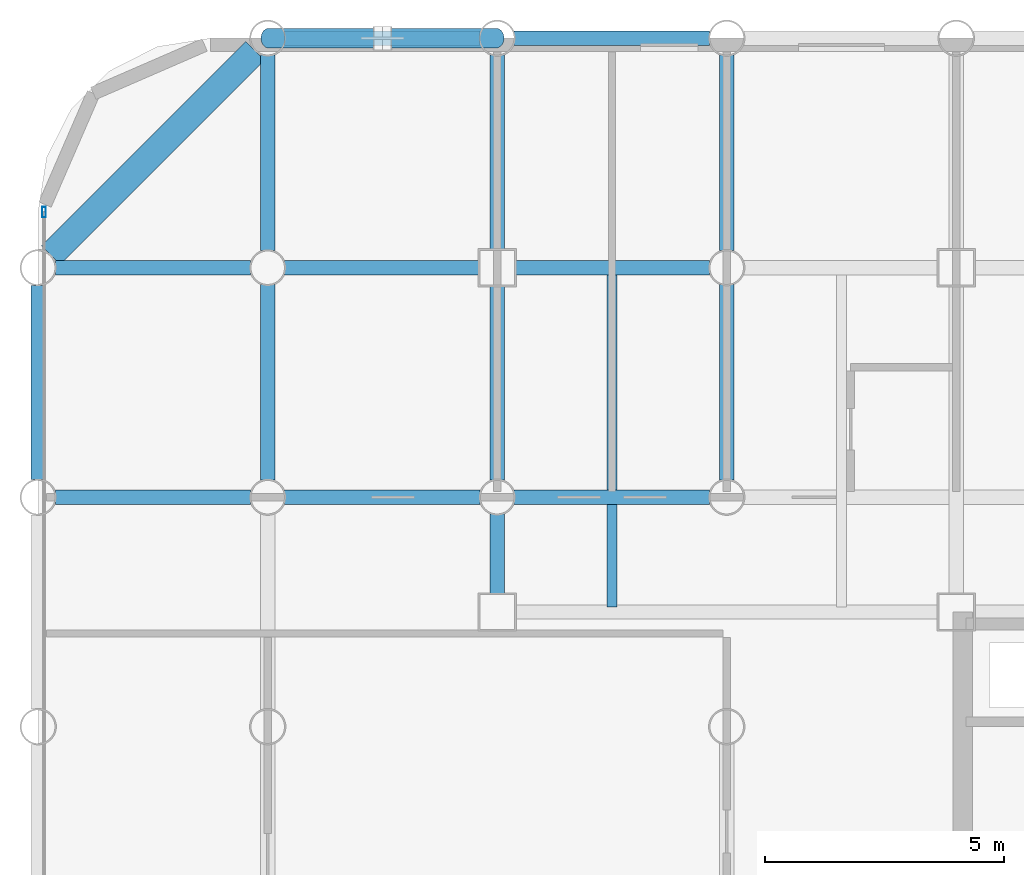
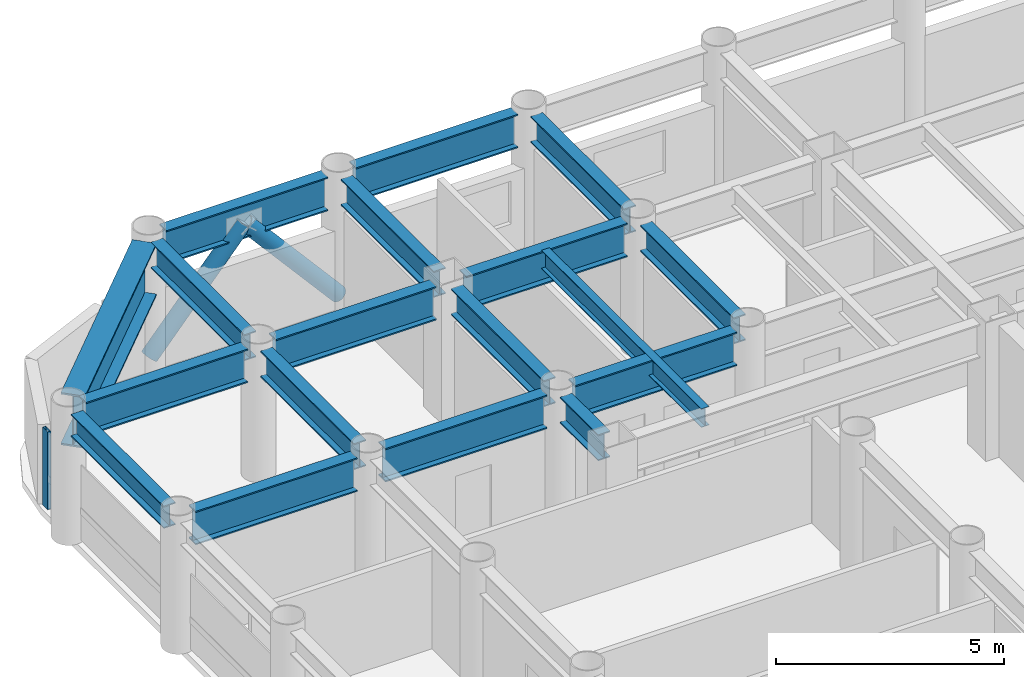
# One storey, part 9 of 21: 18 beams, 3 members, 1 element without a shape of its own.
"""IFC4 building model written with IfcOpenShell, lengths in metres."""

from ifc_helpers import new_model, si_unit, direction, frame, origin, origin_2d, place, context, subcontext, project, spatial, hollow_rectangle, hollow_circle, i_section, extrude, material, layer, layer_set, material_profile, profile_set, type_object, element, aggregate, save


model = new_model("IFC4")

# Units and contexts
model_context = context("Model", 3, precision=1e-05, world=origin(), true_north=direction((0.0, 1.0)))
body_context = subcontext(model_context, "Body", "Model", "MODEL_VIEW")
ifc_project = project(units=[si_unit("LENGTHUNIT", "METRE"), si_unit("AREAUNIT", "SQUARE_METRE"), si_unit("VOLUMEUNIT", "CUBIC_METRE"), si_unit("PLANEANGLEUNIT", "RADIAN"), si_unit("MASSUNIT", "GRAM", prefix="KILO")], contexts=[model_context])

# Site, building, storey
site_placement = place(None, origin())
site = spatial("IfcSite", under=ifc_project, at=site_placement, CompositionType="ELEMENT")
building_placement = place(site_placement, origin())
building = spatial("IfcBuilding", under=site, at=building_placement, Name="Kallvorn Hotel Tower", CompositionType="ELEMENT")
storey_placement = place(building_placement, frame((0.0, 0.0, 41.10009765625)))
storey = spatial("IfcBuildingStorey", under=building, at=storey_placement, Name="L08", CompositionType="ELEMENT", Elevation=41.10009765625)

# Beams
ifc_material_1 = material(Name="Structural steel S355JR", Category="steel")
ifc_material_profile_1 = material_profile(ifc_material_1, i_section(OverallWidth=0.300048828125, OverallDepth=0.60009765625, WebThickness=0.015380859375, FlangeThickness=0.030029296875, at=origin_2d()), Name="HE 600 B")
ifc_profile_set_1 = profile_set([ifc_material_profile_1], Name="Structural steel S355JR")
beam_type_1 = type_object("IfcBeamType", Name="BM_HE600B", PredefinedType="SPANDREL", material=ifc_profile_set_1)
beam_1_placement = place(storey_placement, frame((-33.60009765625, 9.970947265625, 3.219970703125), z_axis=(0.0, 1.0, 0.0), x_axis=(-1.0, 0.0, 0.0)))
element("IfcBeam", 1, at=beam_1_placement, inside=storey, type_object=beam_type_1, Name="L09 Perimeter Spandrel 180", PredefinedType="SPANDREL", context=body_context, shape_type="SweptSolid", body=[
    extrude(i_section(OverallWidth=0.300048828125, OverallDepth=0.60009765625, WebThickness=0.015380859375, FlangeThickness=0.030029296875, at=origin_2d()), origin(), (0.0, 0.0, 1.0), 4.05810546875),
])
ifc_material_2 = material(Name="Structural steel S355JR", Category="steel")
ifc_material_profile_2 = material_profile(ifc_material_2, i_section(OverallWidth=0.300048828125, OverallDepth=0.699951171875, WebThickness=0.01708984375, FlangeThickness=0.031982421875, at=origin_2d()), Name="HE 700 B")
ifc_profile_set_2 = profile_set([ifc_material_profile_2], Name="Structural steel S355JR")
beam_type_2 = type_object("IfcBeamType", Name="BM_HE700B", PredefinedType="BEAM", material=ifc_profile_set_2)
for number, where, z_axis, x_axis, name in (
    (2, (-28.800048828125, 9.9560546875, 3.169921875), (0.0, 1.0, 0.0), (-1.0, 0.0, 0.0), "L09 Primary Y-Girder 80"),
    (3, (-28.800048828125, 14.756103515625, 3.169921875), (0.0, 1.0, 0.0), (-1.0, 0.0, 0.0), "L09 Primary Y-Girder 81"),
):
    element("IfcBeam", number, at=place(storey_placement, frame(where, z_axis=z_axis, x_axis=x_axis)), inside=storey, type_object=beam_type_2, Name=name, PredefinedType="BEAM", context=body_context, shape_type="SweptSolid", body=[
        extrude(i_section(OverallWidth=0.300048828125, OverallDepth=0.699951171875, WebThickness=0.01708984375, FlangeThickness=0.031982421875, at=origin_2d()), origin(), (0.0, 0.0, 1.0), 4.087890625),
    ])
beam_2_placement = place(storey_placement, frame((-24.0, 7.574951171875, 3.169921875), z_axis=(0.0, 1.0, 0.0), x_axis=(-1.0, 0.0, 0.0)))
element("IfcBeam", 4, at=beam_2_placement, inside=storey, type_object=beam_type_2, Name="L09 Primary Y-Girder 86", PredefinedType="BEAM", context=body_context, shape_type="SweptSolid", body=[
    extrude(i_section(OverallWidth=0.300048828125, OverallDepth=0.699951171875, WebThickness=0.01708984375, FlangeThickness=0.031982421875, at=origin_2d()), origin(), (0.0, 0.0, 1.0), 1.6689453125),
])
beam_3_placement = place(storey_placement, frame((-24.0, 9.9560546875, 3.169921875), z_axis=(0.0, 1.0, 0.0), x_axis=(-1.0, 0.0, 0.0)))
element("IfcBeam", 5, at=beam_3_placement, inside=storey, type_object=beam_type_2, Name="L09 Primary Y-Girder 87", PredefinedType="BEAM", context=body_context, shape_type="SweptSolid", body=[
    extrude(i_section(OverallWidth=0.300048828125, OverallDepth=0.699951171875, WebThickness=0.01708984375, FlangeThickness=0.031982421875, at=origin_2d()), origin(), (0.0, 0.0, 1.0), 4.06884765625),
])
beam_4_placement = place(storey_placement, frame((-24.0, 14.77490234375, 3.169921875), z_axis=(0.0, 1.0, 0.0), x_axis=(-1.0, 0.0, 0.0)))
element("IfcBeam", 6, at=beam_4_placement, inside=storey, type_object=beam_type_2, Name="L09 Primary Y-Girder 88", PredefinedType="BEAM", context=body_context, shape_type="SweptSolid", body=[
    extrude(i_section(OverallWidth=0.300048828125, OverallDepth=0.699951171875, WebThickness=0.01708984375, FlangeThickness=0.031982421875, at=origin_2d()), origin(), (0.0, 0.0, 1.0), 4.069091796875),
])
for number, where, z_axis, x_axis, name in (
    (7, (-19.199951171875, 9.9560546875, 3.169921875), (0.0, 1.0, 0.0), (-1.0, 0.0, 0.0), "L09 Primary Y-Girder 96"),
    (8, (-19.199951171875, 14.756103515625, 3.169921875), (0.0, 1.0, 0.0), (-1.0, 0.0, 0.0), "L09 Primary Y-Girder 97"),
):
    element("IfcBeam", number, at=place(storey_placement, frame(where, z_axis=z_axis, x_axis=x_axis)), inside=storey, type_object=beam_type_2, Name=name, PredefinedType="BEAM", context=body_context, shape_type="SweptSolid", body=[
        extrude(i_section(OverallWidth=0.300048828125, OverallDepth=0.699951171875, WebThickness=0.01708984375, FlangeThickness=0.031982421875, at=origin_2d()), origin(), (0.0, 0.0, 1.0), 4.087890625),
    ])
ifc_material_3 = material(Name="Structural steel S355JR", Category="steel")
ifc_material_profile_3 = material_profile(ifc_material_3, i_section(OverallWidth=0.300048828125, OverallDepth=0.89990234375, WebThickness=0.0185546875, FlangeThickness=0.034912109375, at=origin_2d()), Name="HE 900 B")
ifc_profile_set_3 = profile_set([ifc_material_profile_3], Name="Structural steel S355JR")
beam_type_3 = type_object("IfcBeamType", Name="BM_HE900B", PredefinedType="BEAM", material=ifc_profile_set_3)
beam_5_placement = place(storey_placement, frame((-33.243896484375, 9.60009765625, 3.06982421875), z_axis=(1.0, 0.0, 0.0), x_axis=(0.0, 1.0, 0.0)))
element("IfcBeam", 9, at=beam_5_placement, inside=storey, type_object=beam_type_3, Name="L09 Primary X-Girder 42", PredefinedType="BEAM", context=body_context, shape_type="SweptSolid", body=[
    extrude(i_section(OverallWidth=0.300048828125, OverallDepth=0.89990234375, WebThickness=0.0185546875, FlangeThickness=0.034912109375, at=origin_2d()), origin(), (0.0, 0.0, 1.0), 4.087890625),
])
for number, where, z_axis, x_axis, name in (
    (10, (-28.444091796875, 9.60009765625, 3.06982421875), (1.0, 0.0, 0.0), (0.0, 1.0, 0.0), "L09 Primary X-Girder 43"),
    (11, (-23.64404296875, 9.60009765625, 3.06982421875), (1.0, 0.0, 0.0), (0.0, 1.0, 0.0), "L09 Primary X-Girder 44"),
):
    element("IfcBeam", number, at=place(storey_placement, frame(where, z_axis=z_axis, x_axis=x_axis)), inside=storey, type_object=beam_type_3, Name=name, PredefinedType="BEAM", context=body_context, shape_type="SweptSolid", body=[
        extrude(i_section(OverallWidth=0.300048828125, OverallDepth=0.89990234375, WebThickness=0.0185546875, FlangeThickness=0.034912109375, at=origin_2d()), origin(), (0.0, 0.0, 1.0), 4.088134765625),
    ])
beam_6_placement = place(storey_placement, frame((-33.243896484375, 14.39990234375, 3.06982421875), z_axis=(1.0, 0.0, 0.0), x_axis=(0.0, 1.0, 0.0)))
element("IfcBeam", 12, at=beam_6_placement, inside=storey, type_object=beam_type_3, Name="L09 Primary X-Girder 51", PredefinedType="BEAM", context=body_context, shape_type="SweptSolid", body=[
    extrude(i_section(OverallWidth=0.300048828125, OverallDepth=0.89990234375, WebThickness=0.0185546875, FlangeThickness=0.034912109375, at=origin_2d()), origin(), (0.0, 0.0, 1.0), 4.087890625),
])
for number, where, z_axis, x_axis, name in (
    (13, (-28.444091796875, 14.39990234375, 3.06982421875), (1.0, 0.0, 0.0), (0.0, 1.0, 0.0), "L09 Primary X-Girder 52"),
    (14, (-23.625, 14.39990234375, 3.06982421875), (1.0, 0.0, 0.0), (0.0, 1.0, 0.0), "L09 Primary X-Girder 53"),
):
    element("IfcBeam", number, at=place(storey_placement, frame(where, z_axis=z_axis, x_axis=x_axis)), inside=storey, type_object=beam_type_3, Name=name, PredefinedType="BEAM", context=body_context, shape_type="SweptSolid", body=[
        extrude(i_section(OverallWidth=0.300048828125, OverallDepth=0.89990234375, WebThickness=0.0185546875, FlangeThickness=0.034912109375, at=origin_2d()), origin(), (0.0, 0.0, 1.0), 4.069091796875),
    ])
for number, where, z_axis, x_axis, name in (
    (15, (-28.444091796875, 19.199951171875, 3.06982421875), (1.0, 0.0, 0.0), (0.0, 1.0, 0.0), "L09 Primary X-Girder 61"),
    (16, (-23.64404296875, 19.199951171875, 3.06982421875), (1.0, 0.0, 0.0), (0.0, 1.0, 0.0), "L09 Primary X-Girder 62"),
):
    element("IfcBeam", number, at=place(storey_placement, frame(where, z_axis=z_axis, x_axis=x_axis)), inside=storey, type_object=beam_type_3, Name=name, PredefinedType="BEAM", context=body_context, shape_type="SweptSolid", body=[
        extrude(i_section(OverallWidth=0.300048828125, OverallDepth=0.89990234375, WebThickness=0.0185546875, FlangeThickness=0.034912109375, at=origin_2d()), origin(), (0.0, 0.0, 1.0), 4.088134765625),
    ])
ifc_material_4 = material(Name="Structural steel S355JR", Category="steel")
ifc_material_profile_4 = material_profile(ifc_material_4, i_section(OverallWidth=0.199951171875, OverallDepth=0.5, WebThickness=0.01025390625, FlangeThickness=0.01611328125, at=origin_2d()), Name="IPE 500")
ifc_profile_set_4 = profile_set([ifc_material_profile_4], Name="Structural steel S355JR")
beam_type_4 = type_object("IfcBeamType", Name="BM_IPE500", PredefinedType="JOIST", material=ifc_profile_set_4)
beam_7_placement = place(storey_placement, frame((-21.60009765625, 7.300048828125, 3.27001953125), z_axis=(0.0, 1.0, 0.0), x_axis=(-1.0, 0.0, 0.0)))
element("IfcBeam", 17, at=beam_7_placement, inside=storey, type_object=beam_type_4, Name="L09 Secondary Composite Joist 193", PredefinedType="JOIST", context=body_context, shape_type="SweptSolid", body=[
    extrude(i_section(OverallWidth=0.199951171875, OverallDepth=0.5, WebThickness=0.01025390625, FlangeThickness=0.01611328125, at=origin_2d()), origin(), (0.0, 0.0, 1.0), 7.0),
])
ifc_material_5 = material(Name="Structural steel S355JR", Category="steel")
ifc_material_profile_5 = material_profile(ifc_material_5, i_section(OverallWidth=0.550048828125, OverallDepth=1.39990234375, WebThickness=0.02490234375, FlangeThickness=0.044921875, at=origin_2d()), Name="PG 1400x550x25x45")
ifc_profile_set_5 = profile_set([ifc_material_profile_5], Name="Structural steel S355JR")
beam_type_5 = type_object("IfcBeamType", Name="BM_PG_1400", PredefinedType="BEAM", material=ifc_profile_set_5)
beam_8_placement = place(storey_placement, frame((-33.337646484375, 14.662353515625, 2.81982421875), z_axis=(0.707106781187, 0.707106781187, 0.0), x_axis=(-0.707106781187, 0.707106781187, 0.0)))
element("IfcBeam", 18, at=beam_8_placement, inside=storey, type_object=beam_type_5, Name="L09 Rounded Corner Tie Beam 190", PredefinedType="BEAM", context=body_context, shape_type="SweptSolid", body=[
    extrude(i_section(OverallWidth=0.550048828125, OverallDepth=1.39990234375, WebThickness=0.02490234375, FlangeThickness=0.044921875, at=origin_2d()), origin(), (0.0, 0.0, 1.0), 6.04638671875),
])

# Curtain wall, member
ifc_material_6 = material(Name="Thermally broken black-anodised aluminium AA 6063-T6", Category="aluminium")
ifc_layer = layer(ifc_material_6, 0.199951171875)
ifc_layer_set = layer_set([ifc_layer], Name="CW_SYS_3_HOTEL_LOW")
curtain_wall_type = type_object("IfcCurtainWallType", Name="CW_SYS_3_HOTEL_LOW", PredefinedType="USERDEFINED", material=ifc_layer_set)
curtain_wall_placement = place(storey_placement, origin())
curtain_wall = element("IfcCurtainWall", 19, at=curtain_wall_placement, inside=storey, type_object=curtain_wall_type, Name="L08 Dark-Glass Curtain Wall CW-L08-WN", ObjectType="UNITISED CURTAIN WALL", PredefinedType="USERDEFINED")
ifc_material_7 = material(Name="Thermally broken black-anodised aluminium AA 6063-T6", Category="aluminium")
ifc_material_profile_6 = material_profile(ifc_material_7, hollow_rectangle(XDim=0.080078125, YDim=0.219970703125, WallThickness=0.0048828125, at=origin_2d()), Name="MUL 220x80")
ifc_profile_set_6 = profile_set([ifc_material_profile_6], Name="Thermally broken black-anodised aluminium AA 6063-T6")
member_type_1 = type_object("IfcMemberType", Name="CW_MULLION_220x80", PredefinedType="MULLION", material=ifc_profile_set_6)
member_placement = place(storey_placement, frame((-33.47998046875, 15.56005859375, 0.02001953125), z_axis=(0.0, 0.0, 1.0), x_axis=(1.0, 0.0, 0.0)))
member = element("IfcMember", 20, at=member_placement, type_object=member_type_1, Name="CW-L08-WN Mullion 01", PredefinedType="MULLION", context=body_context, shape_type="SweptSolid", body=[
    extrude(hollow_rectangle(XDim=0.080078125, YDim=0.219970703125, WallThickness=0.0048828125, at=origin_2d()), origin(), (0.0, 0.0, 1.0), 2.079833984375),
])
aggregate(curtain_wall, [member])

# Members
ifc_material_8 = material(Name="Structural steel S355J2H", Category="steel")
ifc_material_profile_7 = material_profile(ifc_material_8, hollow_circle(Radius=0.203125, WallThickness=0.01611328125, at=origin_2d()), Name="CHS 406.4x16")
ifc_profile_set_7 = profile_set([ifc_material_profile_7], Name="Structural steel S355J2H")
member_type_2 = type_object("IfcMemberType", Name="MBR_EXO_CHS406", PredefinedType="BRACE", material=ifc_profile_set_7)
for number, where, z_axis, x_axis, name in (
    (21, (-28.786865234375, 19.199951171875, 0.195068359375), (0.65346062529, 0.0, 0.756960508346), (0.0, 1.0, 0.0), "L08 Exoskeleton K-Brace N1A"),
    (22, (-24.01318359375, 19.199951171875, 0.195068359375), (-0.65346062529, 0.0, 0.756960508346), (0.0, -1.0, 0.0), "L08 Exoskeleton K-Brace N1B"),
):
    element("IfcMember", number, at=place(storey_placement, frame(where, z_axis=z_axis, x_axis=x_axis)), inside=storey, type_object=member_type_2, Name=name, PredefinedType="BRACE", context=body_context, shape_type="SweptSolid", body=[
        extrude(hollow_circle(Radius=0.203125, WallThickness=0.01611328125, at=origin_2d()), origin(), (0.0, 0.0, 1.0), 3.632568359375),
    ])

save(model, "model.ifc")
